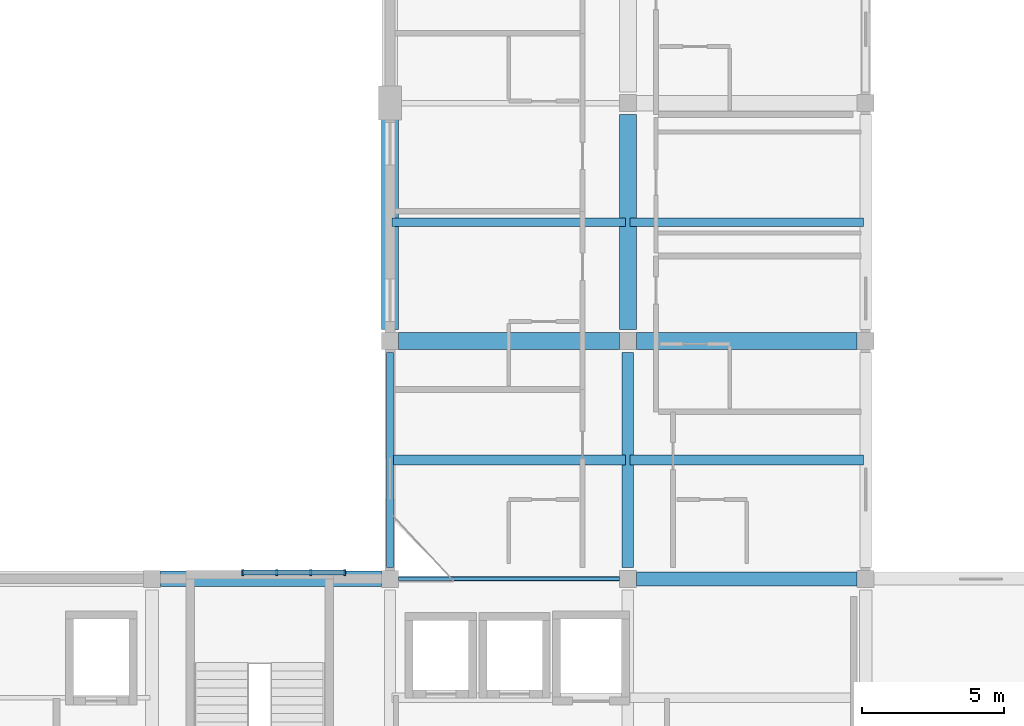
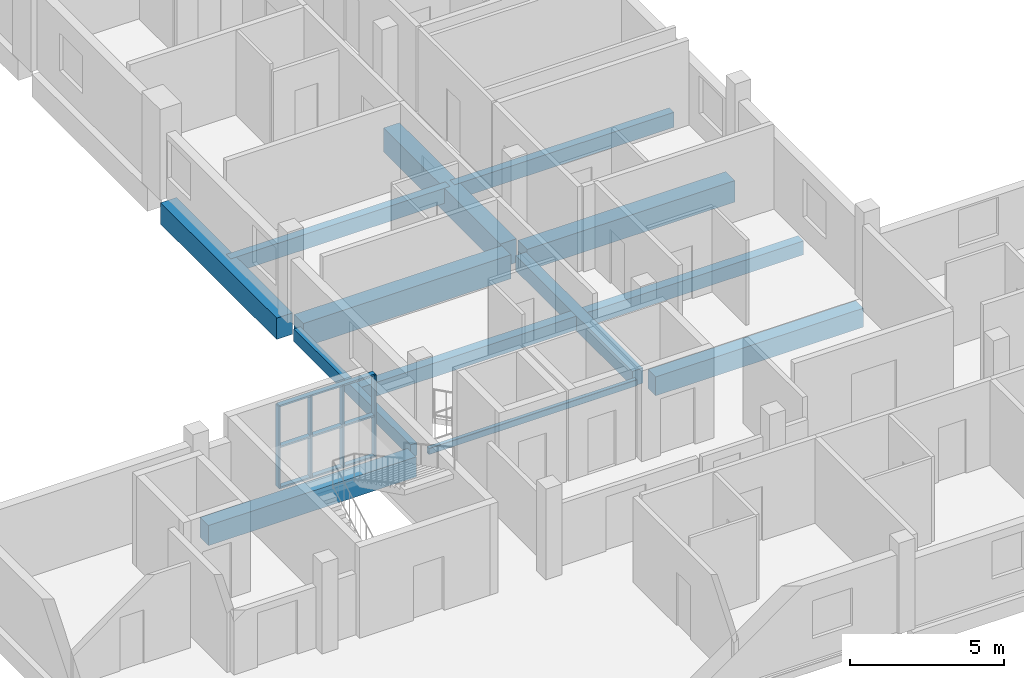
# One storey, part 2 of 25: 13 beams, 7 members, 1 element without a shape of its own.
"""IFC4 building model written with IfcOpenShell, lengths in metres."""

from ifc_helpers import new_model, si_unit, derived_unit, direction, frame, origin, origin_2d, place, context, subcontext, project, spatial, rectangle, hollow_rectangle, extrude, material, material_profile, profile_set, type_object, element, aggregate, save


model = new_model("IFC4")

# Units and contexts
model_context = context("Model", 3, precision=1e-05, world=origin(), true_north=direction((0.0, 1.0)))
body_context = subcontext(model_context, "Body", "Model", "MODEL_VIEW")
ifc_project = project(units=[si_unit("LENGTHUNIT", "METRE"), si_unit("AREAUNIT", "SQUARE_METRE"), si_unit("VOLUMEUNIT", "CUBIC_METRE"), si_unit("PLANEANGLEUNIT", "RADIAN"), si_unit("MASSUNIT", "GRAM", prefix="KILO"), derived_unit("THERMALTRANSMITTANCEUNIT", [(si_unit("POWERUNIT", "WATT"), 1), (si_unit("LENGTHUNIT", "METRE"), -2), (si_unit("THERMODYNAMICTEMPERATUREUNIT", "KELVIN"), -1)])], contexts=[model_context])

# Site, building, storey
site_placement = place(None, origin())
site = spatial("IfcSite", under=ifc_project, at=site_placement, CompositionType="ELEMENT")
building_placement = place(site_placement, origin())
building = spatial("IfcBuilding", under=site, at=building_placement, Name="Barrovel Congress Hotel", CompositionType="ELEMENT")
storey_placement = place(building_placement, frame((0.0, 0.0, 25.5)))
storey = spatial("IfcBuildingStorey", under=building, at=storey_placement, Name="L06", CompositionType="ELEMENT", Elevation=25.5)

# Beams
ifc_material_1 = material(Name="Concrete C40", Category="concrete")
ifc_material_profile_1 = material_profile(ifc_material_1, rectangle(XDim=0.25, YDim=0.5, at=origin_2d()), Name="RC250x500")
ifc_profile_set_1 = profile_set([ifc_material_profile_1], Name="Concrete C40")
beam_type_1 = type_object("IfcBeamType", Name="BM-RC250x500", PredefinedType="SPANDREL", material=ifc_profile_set_1)
beam_1_placement = place(storey_placement, frame((33.60009765625, 21.39990234375, -0.469970703125), z_axis=(0.0, 1.0, 0.0), x_axis=(-1.0, 0.0, 0.0)))
element("IfcBeam", 1, at=beam_1_placement, inside=storey, type_object=beam_type_1, Name="BMY:L06:33.6:21.0-29.4", PredefinedType="SPANDREL", context=body_context, shape_type="SweptSolid", body=[
    extrude(rectangle(XDim=0.25, YDim=0.5, at=origin_2d()), origin(), (0.0, 0.0, 1.0), 7.60009765625),
])
ifc_material_profile_2 = material_profile(ifc_material_1, rectangle(XDim=0.300048828125, YDim=0.60009765625, at=origin_2d()), Name="RC300x600")
ifc_profile_set_2 = profile_set([ifc_material_profile_2], Name="Concrete C40")
beam_type_2 = type_object("IfcBeamType", Name="BM-RC300x600", PredefinedType="JOIST", material=ifc_profile_set_2)
for number, where, z_axis, x_axis, name in (
    (2, (33.679931640625, 33.60009765625, -0.52001953125), (1.0, 0.0, 0.0), (0.0, 1.0, 0.0), "JST:L06:33.6:33.6"),
    (3, (42.080078125, 33.60009765625, -0.52001953125), (1.0, 0.0, 0.0), (0.0, 1.0, 0.0), "JST:L06:42.0:33.6"),
):
    element("IfcBeam", number, at=place(storey_placement, frame(where, z_axis=z_axis, x_axis=x_axis)), inside=storey, type_object=beam_type_2, Name=name, PredefinedType="JOIST", context=body_context, shape_type="SweptSolid", body=[
        extrude(rectangle(XDim=0.300048828125, YDim=0.60009765625, at=origin_2d()), origin(), (0.0, 0.0, 1.0), 8.239990234375),
    ])
ifc_material_profile_3 = material_profile(ifc_material_1, rectangle(XDim=0.35009765625, YDim=0.550048828125, at=origin_2d()), Name="RC350x550")
ifc_profile_set_3 = profile_set([ifc_material_profile_3], Name="Concrete C40")
beam_type_3 = type_object("IfcBeamType", Name="BM-RC350x550", PredefinedType="JOIST", material=ifc_profile_set_3)
for number, where, z_axis, x_axis, name in (
    (4, (33.679931640625, 25.199951171875, -0.4951171875), (1.0, 0.0, 0.0), (0.0, 1.0, 0.0), "JST:L06:33.6:25.2"),
    (5, (42.080078125, 25.199951171875, -0.4951171875), (1.0, 0.0, 0.0), (0.0, 1.0, 0.0), "JST:L06:42.0:25.2"),
):
    element("IfcBeam", number, at=place(storey_placement, frame(where, z_axis=z_axis, x_axis=x_axis)), inside=storey, type_object=beam_type_3, Name=name, PredefinedType="JOIST", context=body_context, shape_type="SweptSolid", body=[
        extrude(rectangle(XDim=0.35009765625, YDim=0.550048828125, at=origin_2d()), origin(), (0.0, 0.0, 1.0), 8.239990234375),
    ])
ifc_material_profile_4 = material_profile(ifc_material_1, rectangle(XDim=0.39990234375, YDim=0.60009765625, at=origin_2d()), Name="RC400x600")
ifc_profile_set_4 = profile_set([ifc_material_profile_4], Name="Concrete C40")
beam_type_4 = type_object("IfcBeamType", Name="BM-RC400x600", PredefinedType="BEAM", material=ifc_profile_set_4)
beam_2_placement = place(storey_placement, frame((42.0, 21.39990234375, -0.52001953125), z_axis=(0.0, 1.0, 0.0), x_axis=(-1.0, 0.0, 0.0)))
element("IfcBeam", 6, at=beam_2_placement, inside=storey, type_object=beam_type_4, Name="BMY:L06:42.0:21.0-29.4", PredefinedType="BEAM", context=body_context, shape_type="SweptSolid", body=[
    extrude(rectangle(XDim=0.39990234375, YDim=0.60009765625, at=origin_2d()), origin(), (0.0, 0.0, 1.0), 7.60009765625),
])
ifc_material_profile_5 = material_profile(ifc_material_1, rectangle(XDim=0.5, YDim=0.75, at=origin_2d()), Name="RC500x750")
ifc_profile_set_5 = profile_set([ifc_material_profile_5], Name="Concrete C40")
beam_type_5 = type_object("IfcBeamType", Name="BM-RC500x750", PredefinedType="BEAM", material=ifc_profile_set_5)
beam_3_placement = place(storey_placement, frame((42.300048828125, 21.0, -0.594970703125), z_axis=(1.0, 0.0, 0.0), x_axis=(0.0, 1.0, 0.0)))
element("IfcBeam", 7, at=beam_3_placement, inside=storey, type_object=beam_type_5, Name="BMX:L06:21.0:42.0-50.4", PredefinedType="BEAM", context=body_context, shape_type="SweptSolid", body=[
    extrude(rectangle(XDim=0.5, YDim=0.75, at=origin_2d()), origin(), (0.0, 0.0, 1.0), 7.800048828125),
])
ifc_material_profile_6 = material_profile(ifc_material_1, rectangle(XDim=0.550048828125, YDim=0.800048828125, at=origin_2d()), Name="RC550x800")
ifc_profile_set_6 = profile_set([ifc_material_profile_6], Name="Concrete C40")
beam_type_6 = type_object("IfcBeamType", Name="BM-RC550x800", PredefinedType="BEAM", material=ifc_profile_set_6)
beam_4_placement = place(storey_placement, frame((25.5, 21.0, -0.6201171875), z_axis=(1.0, 0.0, 0.0), x_axis=(0.0, 1.0, 0.0)))
element("IfcBeam", 8, at=beam_4_placement, inside=storey, type_object=beam_type_6, Name="BMX:L06:21.0:25.2-33.6", PredefinedType="BEAM", context=body_context, shape_type="SweptSolid", body=[
    extrude(rectangle(XDim=0.550048828125, YDim=0.800048828125, at=origin_2d()), origin(), (0.0, 0.0, 1.0), 7.800048828125),
])
ifc_material_profile_7 = material_profile(ifc_material_1, rectangle(XDim=0.60009765625, YDim=0.85009765625, at=origin_2d()), Name="RC600x850")
ifc_profile_set_7 = profile_set([ifc_material_profile_7], Name="Concrete C40")
beam_type_7 = type_object("IfcBeamType", Name="BM-RC600x850", PredefinedType="BEAM", material=ifc_profile_set_7)
beam_5_placement = place(storey_placement, frame((42.300048828125, 29.39990234375, -0.64501953125), z_axis=(1.0, 0.0, 0.0), x_axis=(0.0, 1.0, 0.0)))
element("IfcBeam", 9, at=beam_5_placement, inside=storey, type_object=beam_type_7, Name="BMX:L06:29.4:42.0-50.4", PredefinedType="BEAM", context=body_context, shape_type="SweptSolid", body=[
    extrude(rectangle(XDim=0.60009765625, YDim=0.85009765625, at=origin_2d()), origin(), (0.0, 0.0, 1.0), 7.800048828125),
])
beam_6_placement = place(storey_placement, frame((33.60009765625, 29.800048828125, -0.64501953125), z_axis=(0.0, 1.0, 0.0), x_axis=(-1.0, 0.0, 0.0)))
element("IfcBeam", 10, at=beam_6_placement, inside=storey, type_object=beam_type_7, Name="BMY:L06:33.6:29.4-37.8", PredefinedType="BEAM", context=body_context, shape_type="SweptSolid", body=[
    extrude(rectangle(XDim=0.60009765625, YDim=0.85009765625, at=origin_2d()), origin(), (0.0, 0.0, 1.0), 7.550048828125),
])
ifc_material_profile_8 = material_profile(ifc_material_1, rectangle(XDim=0.60009765625, YDim=0.949951171875, at=origin_2d()), Name="RC600x950")
ifc_profile_set_8 = profile_set([ifc_material_profile_8], Name="Concrete C40")
beam_type_8 = type_object("IfcBeamType", Name="BM-RC600x950", PredefinedType="BEAM", material=ifc_profile_set_8)
beam_7_placement = place(storey_placement, frame((33.89990234375, 29.39990234375, -0.695068359375), z_axis=(1.0, 0.0, 0.0), x_axis=(0.0, 1.0, 0.0)))
element("IfcBeam", 11, at=beam_7_placement, inside=storey, type_object=beam_type_8, Name="BMX:L06:29.4:33.6-42.0", PredefinedType="BEAM", context=body_context, shape_type="SweptSolid", body=[
    extrude(rectangle(XDim=0.60009765625, YDim=0.949951171875, at=origin_2d()), origin(), (0.0, 0.0, 1.0), 7.800048828125),
])
beam_8_placement = place(storey_placement, frame((42.0, 29.800048828125, -0.695068359375), z_axis=(0.0, 1.0, 0.0), x_axis=(-1.0, 0.0, 0.0)))
element("IfcBeam", 12, at=beam_8_placement, inside=storey, type_object=beam_type_8, Name="BMY:L06:42.0:29.4-37.8", PredefinedType="BEAM", context=body_context, shape_type="SweptSolid", body=[
    extrude(rectangle(XDim=0.60009765625, YDim=0.949951171875, at=origin_2d()), origin(), (0.0, 0.0, 1.0), 7.599853515625),
])

# Curtain wall, members
ifc_material_2 = material(Name="Anodised Aluminium Alloy 6063-T6", Category="aluminium")
curtain_wall_type = type_object("IfcCurtainWallType", Name="CW-UN-3600x3200", PredefinedType="USERDEFINED", material=ifc_material_2)
curtain_wall_placement = place(storey_placement, origin())
curtain_wall = element("IfcCurtainWall", 13, at=curtain_wall_placement, inside=storey, type_object=curtain_wall_type, Name="CW:L06:UN-3", ObjectType="UNITISED CURTAIN WALL", PredefinedType="USERDEFINED")
ifc_material_profile_9 = material_profile(ifc_material_2, rectangle(XDim=0.06494140625, YDim=0.219970703125, at=origin_2d()), Name="AL-M65x220")
ifc_profile_set_9 = profile_set([ifc_material_profile_9], Name="Anodised Aluminium Alloy 6063-T6")
member_type_1 = type_object("IfcMemberType", Name="CWM-AL-M65x220", PredefinedType="MULLION", material=ifc_profile_set_9)
member_1_placement = place(storey_placement, frame((28.39990234375, 21.219970703125, 0.0), z_axis=(0.0, 0.0, 1.0), x_axis=(1.0, 0.0, 0.0)))
member_1 = element("IfcMember", 14, at=member_1_placement, type_object=member_type_1, Name="CW:L06:UN-3:M0", PredefinedType="MULLION", context=body_context, shape_type="SweptSolid", body=[
    extrude(rectangle(XDim=0.06494140625, YDim=0.219970703125, at=origin_2d()), origin(), (0.0, 0.0, 1.0), 3.25),
])
member_2_placement = place(storey_placement, frame((29.60009765625, 21.219970703125, 0.0), z_axis=(0.0, 0.0, 1.0), x_axis=(1.0, 0.0, 0.0)))
member_2 = element("IfcMember", 15, at=member_2_placement, type_object=member_type_1, Name="CW:L06:UN-3:M1", PredefinedType="MULLION", context=body_context, shape_type="SweptSolid", body=[
    extrude(rectangle(XDim=0.06494140625, YDim=0.219970703125, at=origin_2d()), origin(), (0.0, 0.0, 1.0), 3.25),
])
member_3_placement = place(storey_placement, frame((30.800048828125, 21.219970703125, 0.0), z_axis=(0.0, 0.0, 1.0), x_axis=(1.0, 0.0, 0.0)))
member_3 = element("IfcMember", 16, at=member_3_placement, type_object=member_type_1, Name="CW:L06:UN-3:M2", PredefinedType="MULLION", context=body_context, shape_type="SweptSolid", body=[
    extrude(rectangle(XDim=0.06494140625, YDim=0.219970703125, at=origin_2d()), origin(), (0.0, 0.0, 1.0), 3.25),
])
member_4_placement = place(storey_placement, frame((32.0, 21.219970703125, 0.0), z_axis=(0.0, 0.0, 1.0), x_axis=(1.0, 0.0, 0.0)))
member_4 = element("IfcMember", 17, at=member_4_placement, type_object=member_type_1, Name="CW:L06:UN-3:M3", PredefinedType="MULLION", context=body_context, shape_type="SweptSolid", body=[
    extrude(rectangle(XDim=0.06494140625, YDim=0.219970703125, at=origin_2d()), origin(), (0.0, 0.0, 1.0), 3.25),
])
ifc_material_profile_10 = material_profile(ifc_material_2, rectangle(XDim=0.179931640625, YDim=0.06494140625, at=origin_2d()), Name="AL-T65x180")
ifc_profile_set_10 = profile_set([ifc_material_profile_10], Name="Anodised Aluminium Alloy 6063-T6")
member_type_2 = type_object("IfcMemberType", Name="CWT-AL-T65x180", PredefinedType="USERDEFINED", material=ifc_profile_set_10)
member_5_placement = place(storey_placement, frame((28.39990234375, 21.219970703125, 0.0), z_axis=(1.0, 0.0, 0.0), x_axis=(0.0, 1.0, 0.0)))
member_5 = element("IfcMember", 18, at=member_5_placement, type_object=member_type_2, Name="CW:L06:UN-3:T0", ObjectType="TRANSOM", PredefinedType="USERDEFINED", context=body_context, shape_type="SweptSolid", body=[
    extrude(rectangle(XDim=0.179931640625, YDim=0.06494140625, at=origin_2d()), origin(), (0.0, 0.0, 1.0), 3.60009765625),
])
member_6_placement = place(storey_placement, frame((28.39990234375, 21.219970703125, 1.625), z_axis=(1.0, 0.0, 0.0), x_axis=(0.0, 1.0, 0.0)))
member_6 = element("IfcMember", 19, at=member_6_placement, type_object=member_type_2, Name="CW:L06:UN-3:T1", ObjectType="TRANSOM", PredefinedType="USERDEFINED", context=body_context, shape_type="SweptSolid", body=[
    extrude(rectangle(XDim=0.179931640625, YDim=0.06494140625, at=origin_2d()), origin(), (0.0, 0.0, 1.0), 3.60009765625),
])
member_7_placement = place(storey_placement, frame((28.39990234375, 21.219970703125, 3.25), z_axis=(1.0, 0.0, 0.0), x_axis=(0.0, 1.0, 0.0)))
member_7 = element("IfcMember", 20, at=member_7_placement, type_object=member_type_2, Name="CW:L06:UN-3:T2", ObjectType="TRANSOM", PredefinedType="USERDEFINED", context=body_context, shape_type="SweptSolid", body=[
    extrude(rectangle(XDim=0.179931640625, YDim=0.06494140625, at=origin_2d()), origin(), (0.0, 0.0, 1.0), 3.60009765625),
])
aggregate(curtain_wall, [member_1, member_2, member_3, member_4, member_5, member_6, member_7])

# Beam
ifc_material_3 = material(Name="Steel ASTM A500 Grade C", Category="steel")
ifc_material_profile_11 = material_profile(ifc_material_3, hollow_rectangle(XDim=0.15234375, YDim=0.25390625, WallThickness=0.0087890625, InnerFilletRadius=0.0087890625, OuterFilletRadius=0.017578125, at=origin_2d()), Name="HSS254x152x9.5")
ifc_profile_set_11 = profile_set([ifc_material_profile_11], Name="Steel ASTM A500 Grade C")
beam_type_9 = type_object("IfcBeamType", Name="SBM-HSS254x152x9.5", PredefinedType="SPANDREL", material=ifc_profile_set_11)
beam_9_placement = place(storey_placement, frame((33.89990234375, 21.0, -0.346923828125), z_axis=(1.0, 0.0, 0.0), x_axis=(0.0, 1.0, 0.0)))
element("IfcBeam", 21, at=beam_9_placement, inside=storey, type_object=beam_type_9, Name="BMX:L06:21.0:33.6-42.0", PredefinedType="SPANDREL", context=body_context, shape_type="SweptSolid", body=[
    extrude(hollow_rectangle(XDim=0.15234375, YDim=0.25390625, WallThickness=0.0087890625, InnerFilletRadius=0.0087890625, OuterFilletRadius=0.017578125, at=origin_2d()), origin(), (0.0, 0.0, 1.0), 7.800048828125),
])

save(model, "model.ifc")
